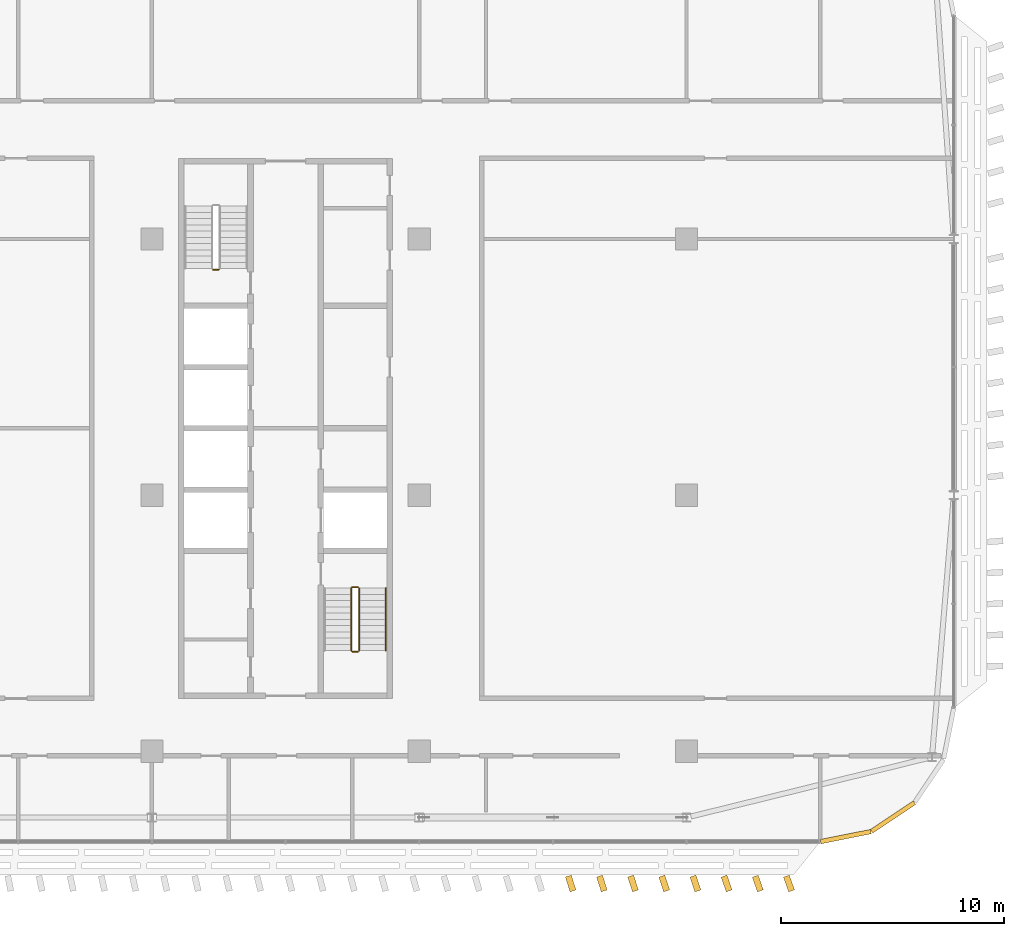
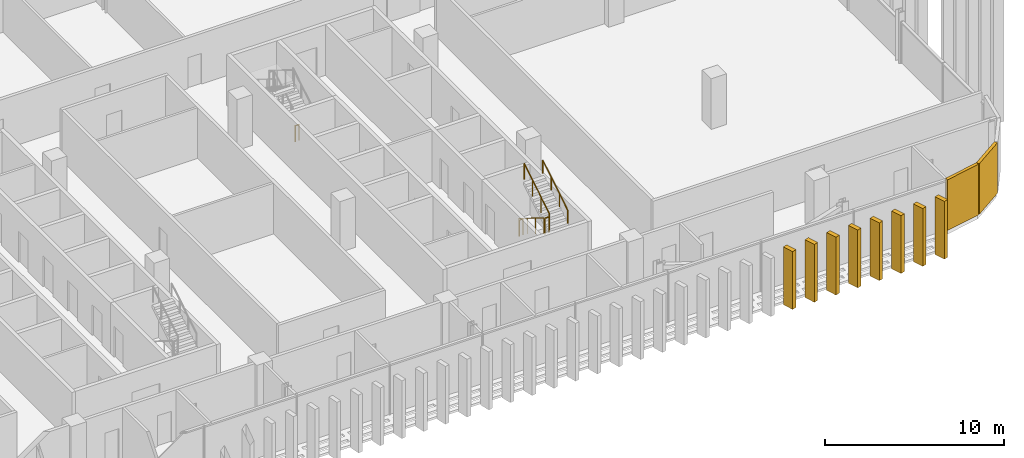
# One storey, part 30 of 32: 10 coverings, 6 railings.
"""IFC4 building model written with IfcOpenShell, lengths in metres."""

from ifc_helpers import new_model, si_unit, direction, frame, origin, origin_2d, place, context, subcontext, project, spatial, rectangle, circle, extrude, material, layer, layer_set, type_object, element, save


model = new_model("IFC4")

# Units and contexts
model_context = context("Model", 3, precision=1e-05, world=origin(), true_north=direction((0.0, 1.0)))
body_context = subcontext(model_context, "Body", "Model", "MODEL_VIEW")
ifc_project = project(units=[si_unit("LENGTHUNIT", "METRE"), si_unit("AREAUNIT", "SQUARE_METRE"), si_unit("VOLUMEUNIT", "CUBIC_METRE"), si_unit("PLANEANGLEUNIT", "RADIAN"), si_unit("MASSUNIT", "GRAM", prefix="KILO")], contexts=[model_context])

# Site, building, storey
site_placement = place(None, origin())
site = spatial("IfcSite", under=ifc_project, at=site_placement, CompositionType="ELEMENT")
building_placement = place(site_placement, origin())
building = spatial("IfcBuilding", under=site, at=building_placement, Name="Mahtab Terrace Research Tower", CompositionType="ELEMENT")
storey_placement = place(building_placement, frame((0.0, 0.0, 243.800048828125)))
storey = spatial("IfcBuildingStorey", under=building, at=storey_placement, Name="L59", CompositionType="ELEMENT", Elevation=243.800048828125)

# Coverings
ifc_material_1 = material(Name="Black aluminium cladding panel", Category="aluminium")
ifc_layer_1 = layer(ifc_material_1, 0.199951171875)
ifc_layer_set_1 = layer_set([ifc_layer_1], Name="Black metal corner cladding 200")
covering_type_1 = type_object("IfcCoveringType", Name="Black metal corner cladding 200", PredefinedType="CLADDING", material=ifc_layer_set_1)
for number, where, z_axis, x_axis, name in (
    (1, (49.14794921875, -15.327392578125, 0.0), (0.0, 0.0, 1.0), (0.980760981187, 0.195212442692, 0.0), "Corner cladding L59 16"),
    (2, (51.26953125, -14.448974609375, 0.0), (0.0, 0.0, 1.0), (0.831655794326, 0.555291490808, 0.0), "Corner cladding L59 17"),
):
    element("IfcCovering", number, at=place(storey_placement, frame(where, z_axis=z_axis, x_axis=x_axis)), inside=storey, type_object=covering_type_1, Name=name, PredefinedType="CLADDING", context=body_context, shape_type="SweptSolid", body=[
        extrude(rectangle(XDim=2.30126953125, YDim=0.199951171875, at=origin_2d()), origin(), (0.0, 0.0, 1.0), 3.4599609375),
    ])

# Railings
ifc_material_2 = material(Name="Stainless steel AISI 304", Category="steel")
railing_type_1 = type_object("IfcRailingType", Name="Stair guard 1100", PredefinedType="GUARDRAIL", material=ifc_material_2)
railing_1_placement = place(storey_placement, frame((21.0, 10.125, 0.0)))
element("IfcRailing", 3, at=railing_1_placement, inside=storey, type_object=railing_type_1, Name="L59 ST3 stair guard 4", PredefinedType="GUARDRAIL", context=body_context, shape_type="SweptSolid", body=[
    extrude(circle(Radius=0.02392578125, at=origin_2d()), frame((0.0, 0.0, 1.076171875), z_axis=(-1.0, 0.0, 0.0), x_axis=(0.0, -1.0, 0.0)), (0.0, 0.0, 1.0), 0.25),
    extrude(circle(Radius=0.02099609375, at=origin_2d()), origin(), (0.0, 0.0, 1.0), 1.052001953125),
    extrude(circle(Radius=0.02099609375, at=origin_2d()), frame((-0.25, 0.0, 0.0)), (0.0, 0.0, 1.0), 1.052001953125),
])
railing_2_placement = place(storey_placement, frame((26.949951171875, -4.175048828125, 0.172607421875)))
element("IfcRailing", 4, at=railing_2_placement, inside=storey, type_object=railing_type_1, Name="L59 ST4 stair guard 1", PredefinedType="GUARDRAIL", context=body_context, shape_type="SweptSolid", body=[
    extrude(circle(Radius=0.02392578125, at=origin_2d()), frame((0.0, 0.0, 1.076171875), z_axis=(0.0, -0.851089632645, 0.525020415988), x_axis=(1.0, 0.0, 0.0)), (0.0, 0.0, 1.0), 3.2900390625),
    extrude(circle(Radius=0.02099609375, at=origin_2d()), origin(), (0.0, 0.0, 1.0), 1.052001953125),
    extrude(circle(Radius=0.02099609375, at=origin_2d()), frame((0.0, -0.933349609375, 0.57568359375)), (0.0, 0.0, 1.0), 1.052001953125),
    extrude(circle(Radius=0.02099609375, at=origin_2d()), frame((0.0, -1.86669921875, 1.151611328125)), (0.0, 0.0, 1.0), 1.052001953125),
    extrude(circle(Radius=0.02099609375, at=origin_2d()), frame((0.0, -2.800048828125, 1.727294921875)), (0.0, 0.0, 1.0), 1.052001953125),
])
railing_3_placement = place(storey_placement, frame((27.0, -7.02490234375, 1.89990234375)))
element("IfcRailing", 5, at=railing_3_placement, inside=storey, type_object=railing_type_1, Name="L59 ST4 stair guard 2", PredefinedType="GUARDRAIL", context=body_context, shape_type="SweptSolid", body=[
    extrude(circle(Radius=0.02392578125, at=origin_2d()), frame((0.0, 0.0, 1.076171875), z_axis=(1.0, 0.0, 0.0), x_axis=(0.0, 1.0, 0.0)), (0.0, 0.0, 1.0), 0.25),
    extrude(circle(Radius=0.02099609375, at=origin_2d()), origin(), (0.0, 0.0, 1.0), 1.052001953125),
    extrude(circle(Radius=0.02099609375, at=origin_2d()), frame((0.25, 0.0, 0.0)), (0.0, 0.0, 1.0), 1.052001953125),
])
railing_4_placement = place(storey_placement, frame((27.300048828125, -6.97509765625, 2.07275390625)))
element("IfcRailing", 6, at=railing_4_placement, inside=storey, type_object=railing_type_1, Name="L59 ST4 stair guard 3", PredefinedType="GUARDRAIL", context=body_context, shape_type="SweptSolid", body=[
    extrude(circle(Radius=0.02392578125, at=origin_2d()), frame((0.0, 0.0, 1.076171875), z_axis=(0.0, 0.851089632645, 0.525020415988), x_axis=(-1.0, 0.0, 0.0)), (0.0, 0.0, 1.0), 3.2900390625),
    extrude(circle(Radius=0.02099609375, at=origin_2d()), origin(), (0.0, 0.0, 1.0), 1.052001953125),
    extrude(circle(Radius=0.02099609375, at=origin_2d()), frame((0.0, 0.933349609375, 0.57568359375)), (0.0, 0.0, 1.0), 1.052001953125),
    extrude(circle(Radius=0.02099609375, at=origin_2d()), frame((0.0, 1.86669921875, 1.151611328125)), (0.0, 0.0, 1.0), 1.052001953125),
    extrude(circle(Radius=0.02099609375, at=origin_2d()), frame((0.0, 2.800048828125, 1.727294921875)), (0.0, 0.0, 1.0), 1.052001953125),
])
railing_5_placement = place(storey_placement, frame((27.0, -4.125, 0.0)))
element("IfcRailing", 7, at=railing_5_placement, inside=storey, type_object=railing_type_1, Name="L59 ST4 stair guard 4", PredefinedType="GUARDRAIL", context=body_context, shape_type="SweptSolid", body=[
    extrude(circle(Radius=0.02392578125, at=origin_2d()), frame((0.0, 0.0, 1.076171875), z_axis=(1.0, 0.0, 0.0), x_axis=(0.0, 1.0, 0.0)), (0.0, 0.0, 1.0), 0.25),
    extrude(circle(Radius=0.02099609375, at=origin_2d()), origin(), (0.0, 0.0, 1.0), 1.052001953125),
    extrude(circle(Radius=0.02099609375, at=origin_2d()), frame((0.25, 0.0, 0.0)), (0.0, 0.0, 1.0), 1.052001953125),
])
railing_type_2 = type_object("IfcRailingType", Name="Stair handrail 900", PredefinedType="HANDRAIL", material=ifc_material_2)
railing_6_placement = place(storey_placement, frame((28.5, -6.97509765625, 2.07275390625)))
element("IfcRailing", 8, at=railing_6_placement, inside=storey, type_object=railing_type_2, Name="L59 ST4 stair handrail 2", PredefinedType="HANDRAIL", context=body_context, shape_type="SweptSolid", body=[
    extrude(circle(Radius=0.02392578125, at=origin_2d()), frame((0.0, 0.0, 0.8759765625), z_axis=(0.0, 0.851089632645, 0.525020415988), x_axis=(-1.0, 0.0, 0.0)), (0.0, 0.0, 1.0), 3.2900390625),
    extrude(circle(Radius=0.02099609375, at=origin_2d()), origin(), (0.0, 0.0, 1.0), 0.851806640625),
    extrude(circle(Radius=0.02099609375, at=origin_2d()), frame((0.0, 0.933349609375, 0.57568359375)), (0.0, 0.0, 1.0), 0.851806640625),
    extrude(circle(Radius=0.02099609375, at=origin_2d()), frame((0.0, 1.86669921875, 1.151611328125)), (0.0, 0.0, 1.0), 0.851806640625),
    extrude(circle(Radius=0.02099609375, at=origin_2d()), frame((0.0, 2.800048828125, 1.727294921875)), (0.0, 0.0, 1.0), 0.851806640625),
])

# Coverings
ifc_material_3 = material(Name="Bronze anodised aluminium", Category="aluminium")
ifc_layer_2 = layer(ifc_material_3, 0.1201171875)
ifc_layer_set_2 = layer_set([ifc_layer_2], Name="Vertical fin 700")
covering_type_2 = type_object("IfcCoveringType", Name="Vertical fin 700", PredefinedType="CLADDING", material=ifc_layer_set_2)
for number, where, z_axis, x_axis, name in (
    (9, (36.800048828125, -17.431884765625, -0.14990234375), (0.0, 0.0, 1.0), (0.954587632249, 0.297930281033, 0.0), "Fin L59 S52"),
    (10, (38.199951171875, -17.431884765625, -0.14990234375), (0.0, 0.0, 1.0), (0.952838199286, 0.303478773527, 0.0), "Fin L59 S53"),
    (11, (39.60009765625, -17.43212890625, -0.14990234375), (0.0, 0.0, 1.0), (0.951056516295, 0.309016994375, 0.0), "Fin L59 S54"),
    (12, (41.0, -17.432373046875, -0.14990234375), (0.0, 0.0, 1.0), (0.949242643575, 0.314544756146, 0.0), "Fin L59 S55"),
    (13, (42.39990234375, -17.432373046875, -0.14990234375), (0.0, 0.0, 1.0), (0.947396642512, 0.320061871762, 0.0), "Fin L59 S56"),
    (14, (43.800048828125, -17.4326171875, -0.14990234375), (0.0, 0.0, 1.0), (0.945518575599, 0.325568154457, 0.0), "Fin L59 S57"),
    (15, (45.199951171875, -17.4326171875, -0.14990234375), (0.0, 0.0, 1.0), (0.943608506396, 0.331063417879, 0.0), "Fin L59 S58"),
    (16, (46.60009765625, -17.4326171875, -0.14990234375), (0.0, 0.0, 1.0), (0.941666499544, 0.336547476052, 0.0), "Fin L59 S59"),
):
    element("IfcCovering", number, at=place(storey_placement, frame(where, z_axis=z_axis, x_axis=x_axis)), inside=storey, type_object=covering_type_2, Name=name, PredefinedType="CLADDING", context=body_context, shape_type="SweptSolid", body=[
        extrude(rectangle(XDim=0.280029296875, YDim=0.699951171875, at=origin_2d()), origin(), (0.0, 0.0, 1.0), 3.949951171875),
    ])

save(model, "model.ifc")
